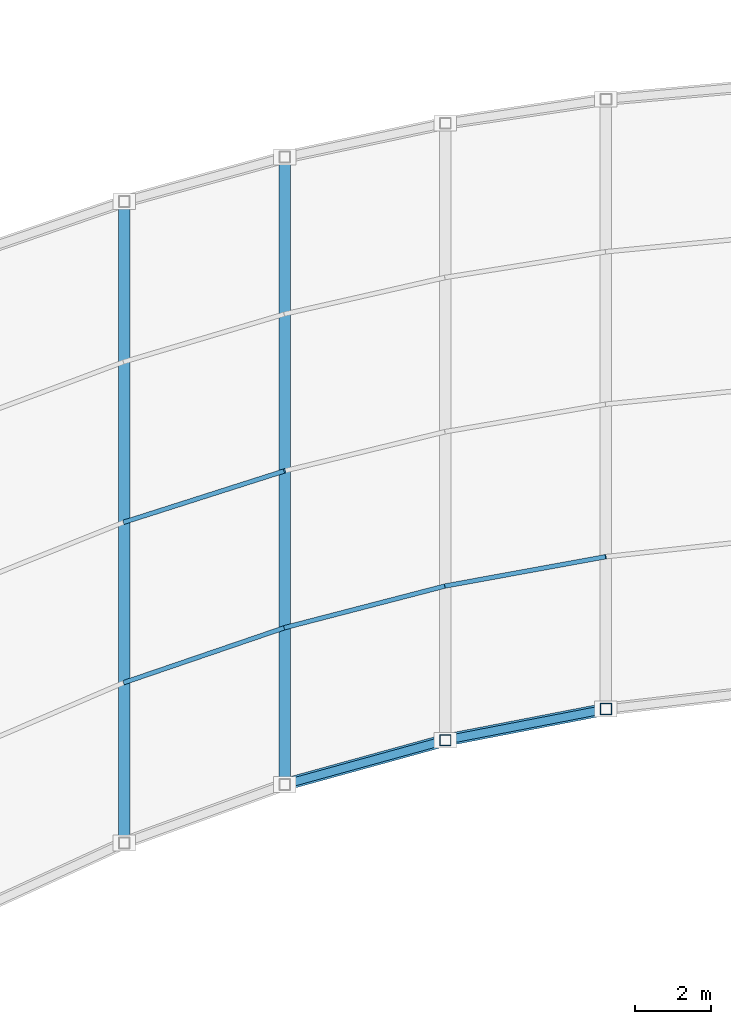
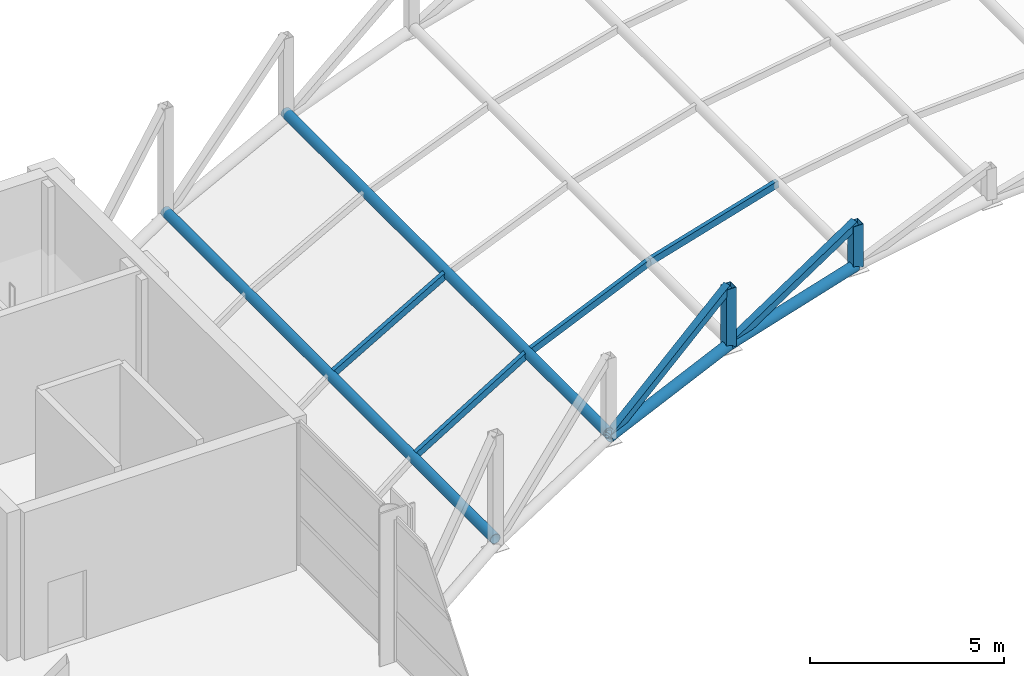
# One storey, part 28 of 101: 12 members.
"""IFC4 building model written with IfcOpenShell, lengths in metres."""

from ifc_helpers import new_model, si_unit, direction, frame, origin, origin_2d, place, context, subcontext, project, spatial, hollow_rectangle, hollow_circle, extrude, material, material_profile, profile_set, type_object, element, save


model = new_model("IFC4")

# Units and contexts
model_context = context("Model", 3, precision=1e-05, world=origin(), true_north=direction((0.0, 1.0)))
body_context = subcontext(model_context, "Body", "Model", "MODEL_VIEW")
ifc_project = project(units=[si_unit("LENGTHUNIT", "METRE"), si_unit("AREAUNIT", "SQUARE_METRE"), si_unit("VOLUMEUNIT", "CUBIC_METRE"), si_unit("PLANEANGLEUNIT", "RADIAN"), si_unit("MASSUNIT", "GRAM", prefix="KILO")], contexts=[model_context])

# Site, building, storey
site_placement = place(None, origin())
site = spatial("IfcSite", under=ifc_project, at=site_placement, CompositionType="ELEMENT")
building_placement = place(site_placement, origin())
building = spatial("IfcBuilding", under=site, at=building_placement, Name="Solvikara Media Centre", CompositionType="ELEMENT")
storey_placement = place(building_placement, frame((0.0, 0.0, 10.199951171875)))
storey = spatial("IfcBuildingStorey", under=building, at=storey_placement, Name="L02", CompositionType="ELEMENT", Elevation=10.199951171875)

# Members
ifc_material = material(Name="Steel S355JR", Category="steel")
ifc_material_profile_1 = material_profile(ifc_material, hollow_circle(Radius=0.161865234375, WallThickness=0.012451171875, at=origin_2d()), Name="CHS 323.9x12.5")
ifc_profile_set_1 = profile_set([ifc_material_profile_1], Name="Steel S355JR")
member_type_1 = type_object("IfcMemberType", Name="MB-02", PredefinedType="CHORD", material=ifc_profile_set_1)
member_1_placement = place(storey_placement, frame((85.0, 22.823974609375, 1.72802734375), z_axis=(0.951747866655, 0.262485150954, 0.158989131217), x_axis=(-0.265866889221, 0.964009749544, 0.0)))
element("IfcMember", 1, at=member_1_placement, inside=storey, type_object=member_type_1, Name="ARC-S-CH-02", PredefinedType="CHORD", context=body_context, shape_type="SweptSolid", body=[
    extrude(hollow_circle(Radius=0.161865234375, WallThickness=0.012451171875, at=origin_2d()), origin(), (0.0, 0.0, 1.0), 4.465576171875),
])
member_2_placement = place(storey_placement, frame((89.25, 23.99609375, 2.43798828125), z_axis=(0.975161611913, 0.188612657819, 0.116125345904), x_axis=(-0.189897396029, 0.981803941213, 0.0)))
element("IfcMember", 2, at=member_2_placement, inside=storey, type_object=member_type_1, Name="ARC-S-CH-03", PredefinedType="CHORD", context=body_context, shape_type="SweptSolid", body=[
    extrude(hollow_circle(Radius=0.161865234375, WallThickness=0.012451171875, at=origin_2d()), origin(), (0.0, 0.0, 1.0), 4.358154296875),
])
ifc_material_profile_2 = material_profile(ifc_material, hollow_rectangle(XDim=0.300048828125, YDim=0.300048828125, WallThickness=0.012451171875, at=origin_2d()), Name="RHS 300x300x12.5")
ifc_profile_set_2 = profile_set([ifc_material_profile_2], Name="Steel S355JR")
member_type_2 = type_object("IfcMemberType", Name="MB-11", PredefinedType="CHORD", material=ifc_profile_set_2)
member_3_placement = place(storey_placement, frame((89.25, 23.99609375, 2.43798828125), z_axis=(0.0, 0.0, 1.0), x_axis=(1.0, 0.0, 0.0)))
element("IfcMember", 3, at=member_3_placement, inside=storey, type_object=member_type_2, Name="ARC-S-VT-03", PredefinedType="CHORD", context=body_context, shape_type="SweptSolid", body=[
    extrude(hollow_rectangle(XDim=0.300048828125, YDim=0.300048828125, WallThickness=0.012451171875, at=origin_2d()), origin(), (0.0, 0.0, 1.0), 1.85205078125),
])
member_4_placement = place(storey_placement, frame((93.5, 24.818115234375, 2.944091796875), z_axis=(0.0, 0.0, 1.0), x_axis=(1.0, 0.0, 0.0)))
element("IfcMember", 4, at=member_4_placement, inside=storey, type_object=member_type_2, Name="ARC-S-VT-04", PredefinedType="CHORD", context=body_context, shape_type="SweptSolid", body=[
    extrude(hollow_rectangle(XDim=0.300048828125, YDim=0.300048828125, WallThickness=0.012451171875, at=origin_2d()), origin(), (0.0, 0.0, 1.0), 1.345947265625),
])
ifc_material_profile_3 = material_profile(ifc_material, hollow_rectangle(XDim=0.1201171875, YDim=0.219970703125, WallThickness=0.00634765625, at=origin_2d()), Name="RHS 220x120x6.3")
ifc_profile_set_3 = profile_set([ifc_material_profile_3], Name="Steel S355JR")
member_type_3 = type_object("IfcMemberType", Name="MB-16", PredefinedType="PURLIN", material=ifc_profile_set_3)
member_5_placement = place(storey_placement, frame((80.75, 25.52392578125, 0.955078125), z_axis=(0.927316505924, 0.31684734474, 0.19922815557), x_axis=(-0.323329079943, 0.946286587701, 0.0)))
element("IfcMember", 5, at=member_5_placement, inside=storey, type_object=member_type_3, Name="ARC-PRL-01-25", PredefinedType="PURLIN", context=body_context, shape_type="SweptSolid", body=[
    extrude(hollow_rectangle(XDim=0.1201171875, YDim=0.219970703125, WallThickness=0.00634765625, at=origin_2d()), origin(), (0.0, 0.0, 1.0), 4.5830078125),
])
member_6_placement = place(storey_placement, frame((80.75, 29.77001953125, 0.955078125), z_axis=(0.933277479001, 0.297975426717, 0.200508833379), x_axis=(-0.304152181368, 0.952623456865, 0.0)))
element("IfcMember", 6, at=member_6_placement, inside=storey, type_object=member_type_3, Name="ARC-PRL-01-50", PredefinedType="PURLIN", context=body_context, shape_type="SweptSolid", body=[
    extrude(hollow_rectangle(XDim=0.1201171875, YDim=0.219970703125, WallThickness=0.00634765625, at=origin_2d()), origin(), (0.0, 0.0, 1.0), 4.553955078125),
])
member_7_placement = place(storey_placement, frame((85.0, 26.97607421875, 1.8681640625), z_axis=(0.95552159622, 0.247992105453, 0.159619531354), x_axis=(-0.251213005733, 0.967931829082, 0.0)))
element("IfcMember", 7, at=member_7_placement, inside=storey, type_object=member_type_3, Name="ARC-PRL-02-25", PredefinedType="PURLIN", context=body_context, shape_type="SweptSolid", body=[
    extrude(hollow_rectangle(XDim=0.1201171875, YDim=0.219970703125, WallThickness=0.00634765625, at=origin_2d()), origin(), (0.0, 0.0, 1.0), 4.44775390625),
])
member_8_placement = place(storey_placement, frame((89.25, 28.0791015625, 2.578125), z_axis=(0.977066182976, 0.178372950913, 0.11629602086), x_axis=(-0.179591551983, 0.98374126398, 0.0)))
element("IfcMember", 8, at=member_8_placement, inside=storey, type_object=member_type_3, Name="ARC-PRL-03-25", PredefinedType="PURLIN", context=body_context, shape_type="SweptSolid", body=[
    extrude(hollow_rectangle(XDim=0.1201171875, YDim=0.219970703125, WallThickness=0.00634765625, at=origin_2d()), origin(), (0.0, 0.0, 1.0), 4.349853515625),
])
ifc_material_profile_4 = material_profile(ifc_material, hollow_circle(Radius=0.149169921875, WallThickness=0.010009765625, at=origin_2d()), Name="CHS 298.5x10")
ifc_profile_set_4 = profile_set([ifc_material_profile_4], Name="Steel S355JR")
member_type_4 = type_object("IfcMemberType", Name="MB-28", PredefinedType="CHORD", material=ifc_profile_set_4)
member_9_placement = place(storey_placement, frame((80.75, 21.279052734375, 0.955078125), z_axis=(0.0, 1.0, 0.0), x_axis=(-1.0, 0.0, 0.0)))
element("IfcMember", 9, at=member_9_placement, inside=storey, type_object=member_type_4, Name="ARC-RIB-01", PredefinedType="CHORD", context=body_context, shape_type="SweptSolid", body=[
    extrude(hollow_circle(Radius=0.149169921875, WallThickness=0.010009765625, at=origin_2d()), origin(), (0.0, 0.0, 1.0), 16.98095703125),
])
member_10_placement = place(storey_placement, frame((85.0, 22.823974609375, 1.8681640625), z_axis=(0.0, 1.0, 0.0), x_axis=(-1.0, 0.0, 0.0)))
element("IfcMember", 10, at=member_10_placement, inside=storey, type_object=member_type_4, Name="ARC-RIB-02", PredefinedType="CHORD", context=body_context, shape_type="SweptSolid", body=[
    extrude(hollow_circle(Radius=0.149169921875, WallThickness=0.010009765625, at=origin_2d()), origin(), (0.0, 0.0, 1.0), 16.60693359375),
])
ifc_material_profile_5 = material_profile(ifc_material, hollow_rectangle(XDim=0.219970703125, YDim=0.219970703125, WallThickness=0.010009765625, at=origin_2d()), Name="RHS 220x220x10")
ifc_profile_set_5 = profile_set([ifc_material_profile_5], Name="Steel S355JR")
member_type_5 = type_object("IfcMemberType", Name="MB-30", PredefinedType="BRACE", material=ifc_profile_set_5)
member_11_placement = place(storey_placement, frame((85.0, 22.823974609375, 1.72802734375), z_axis=(0.833489289463, 0.229870294044, 0.502449253425), x_axis=(-0.265866889221, 0.964009749544, 0.0)))
element("IfcMember", 11, at=member_11_placement, inside=storey, type_object=member_type_5, Name="ARC-S-DG-02", PredefinedType="BRACE", context=body_context, shape_type="SweptSolid", body=[
    extrude(hollow_rectangle(XDim=0.219970703125, YDim=0.219970703125, WallThickness=0.010009765625, at=origin_2d()), origin(), (0.0, 0.0, 1.0), 5.09912109375),
])
member_12_placement = place(storey_placement, frame((89.25, 23.99609375, 2.43798828125), z_axis=(0.902656727278, 0.174588993609, 0.393356728696), x_axis=(-0.189897396029, 0.981803941213, 0.0)))
element("IfcMember", 12, at=member_12_placement, inside=storey, type_object=member_type_5, Name="ARC-S-DG-03", PredefinedType="BRACE", context=body_context, shape_type="SweptSolid", body=[
    extrude(hollow_rectangle(XDim=0.219970703125, YDim=0.219970703125, WallThickness=0.010009765625, at=origin_2d()), origin(), (0.0, 0.0, 1.0), 4.708251953125),
])

save(model, "model.ifc")
